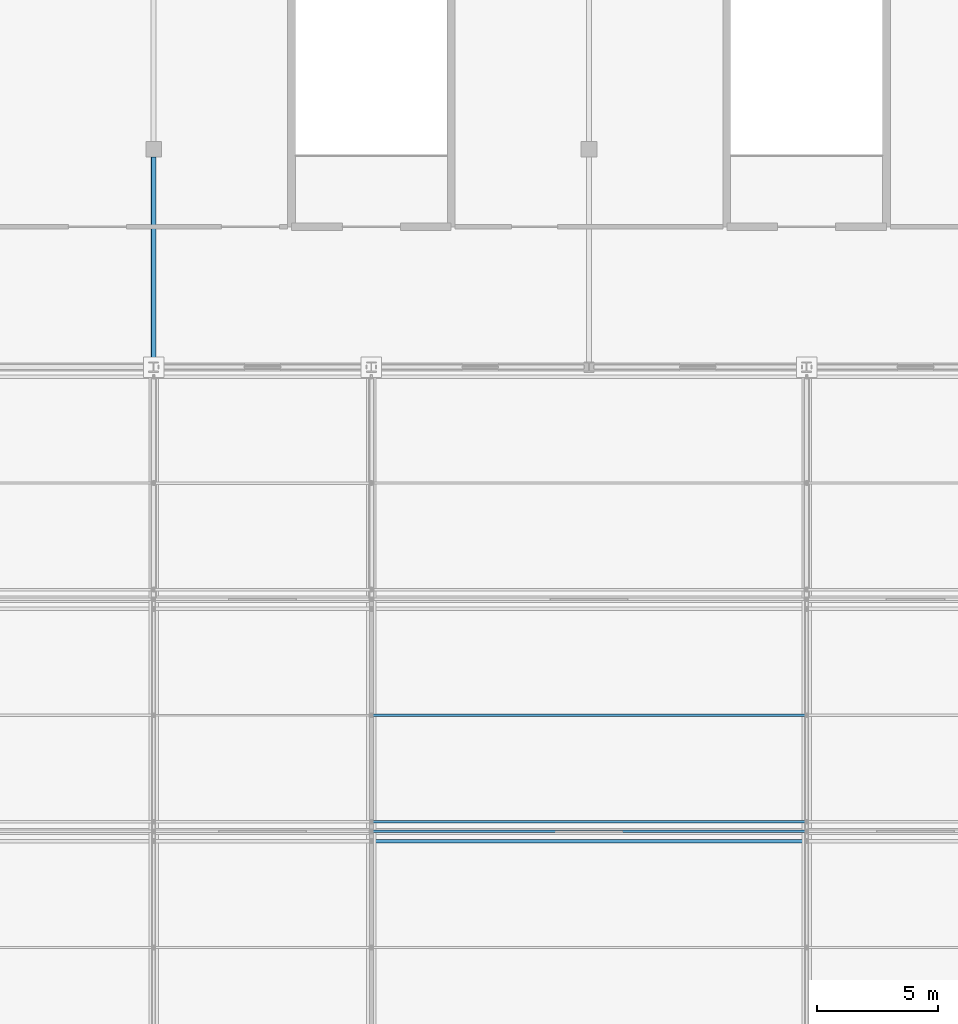
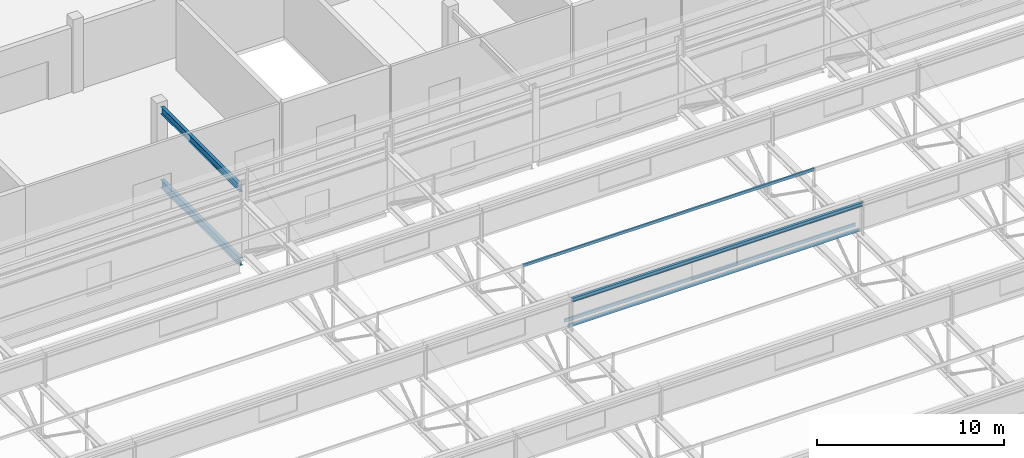
# One storey, part 51 of 136: 4 members, 2 beams.
"""IFC4 building model written with IfcOpenShell, lengths in metres."""

import ifcopenshell
import ifcopenshell.guid

model = None  # the IFC model being written
_history = None  # IfcOwnerHistory: only IFC2X3 demands one
_inside = {}  # id of a spatial element -> (the spatial element, [elements in it])
_under = {}  # id of a project, library or spatial element -> (it, [spatial elements below it])
_declared = {}  # id of a project -> (the project, [libraries it declares])
_typed = {}  # id of a type object -> (the type object, [elements of that type])
_made_of = {}  # id of a material, layer set ... -> (it, [elements and type objects made of it])


def new_model(schema):
    """Start an empty IFC model of exactly this schema.

    Asked for "IFC4X3", IfcOpenShell would pick the latest addendum, in which some entities
    have other attributes; the version numbers below select the first issue.
    IFC2X3 requires an IfcOwnerHistory on every rooted entity: one is made here for all.
    """
    global model, _history
    if schema == "IFC4X3":
        model = ifcopenshell.file(schema_version=(4, 3, 0, 0))
    else:
        model = ifcopenshell.file(schema=schema)
    _inside.clear()
    _under.clear()
    _declared.clear()
    _typed.clear()
    _made_of.clear()
    _history = None
    if model.schema == "IFC2X3":
        org = make("IfcOrganization", Name="unknown")
        user = make(
            "IfcPersonAndOrganization",
            ThePerson=make("IfcPerson", FamilyName="unknown"),
            TheOrganization=org,
        )
        app = make(
            "IfcApplication",
            ApplicationDeveloper=org,
            Version="unknown",
            ApplicationFullName="unknown",
            ApplicationIdentifier="unknown",
        )
        _history = make(
            "IfcOwnerHistory",
            OwningUser=user,
            OwningApplication=app,
            ChangeAction="ADDED",
            CreationDate=0,
        )
    return model


def make(cls, **values):
    """One entity of the class cls with the attributes given. An attribute that is None is left unset."""
    return model.create_entity(
        cls, **{name: value for name, value in values.items() if value is not None}
    )


def rooted(cls, **values):
    """An entity with a GlobalId (a new one), such as an element, a storey or a relation."""
    return make(cls, GlobalId=ifcopenshell.guid.new(), OwnerHistory=_history, **values)


def si_unit(unit_type, name, prefix=None):
    """IfcSIUnit, for example si_unit("LENGTHUNIT", "METRE", prefix="MILLI")."""
    return make("IfcSIUnit", UnitType=unit_type, Prefix=prefix, Name=name)


def assignment(units):
    """IfcUnitAssignment: the units of a project."""
    return None if units is None else make("IfcUnitAssignment", Units=units)


def point(xyz):
    """IfcCartesianPoint."""
    return None if xyz is None else make("IfcCartesianPoint", Coordinates=xyz)


def direction(xyz):
    """IfcDirection."""
    return None if xyz is None else make("IfcDirection", DirectionRatios=xyz)


def frame(location, z_axis=None, x_axis=None):
    """IfcAxis2Placement3D, a coordinate frame: its origin and axes. An axis left out is left unset."""
    return make(
        "IfcAxis2Placement3D",
        Location=point(location),
        Axis=direction(z_axis),
        RefDirection=direction(x_axis),
    )


def frame_2d(location, x_axis=None):
    """IfcAxis2Placement2D, a coordinate frame in the plane: its origin and x axis."""
    return make(
        "IfcAxis2Placement2D", Location=point(location), RefDirection=direction(x_axis)
    )


def origin():
    """The frame at (0, 0, 0) with its axes left unset."""
    return frame((0.0, 0.0, 0.0))


def origin_2d():
    """The frame at (0, 0) in the plane with its x axis left unset."""
    return frame_2d((0.0, 0.0))


def place(relative_to, where):
    """IfcLocalPlacement: puts the frame where relative to a parent placement (None: the world)."""
    return make(
        "IfcLocalPlacement", PlacementRelTo=relative_to, RelativePlacement=where
    )


def context(
    kind, dimensions, precision=None, world=None, true_north=None, identifier=None
):
    """IfcGeometricRepresentationContext, for example the 3D "Model" context."""
    return make(
        "IfcGeometricRepresentationContext",
        ContextIdentifier=identifier,
        ContextType=kind,
        CoordinateSpaceDimension=dimensions,
        Precision=precision,
        WorldCoordinateSystem=world,
        TrueNorth=true_north,
    )


def subcontext(parent, identifier, kind, view, scale=None):
    """IfcGeometricRepresentationSubContext, for example "Body" below "Model"."""
    return make(
        "IfcGeometricRepresentationSubContext",
        ContextIdentifier=identifier,
        ContextType=kind,
        ParentContext=parent,
        TargetScale=scale,
        TargetView=view,
    )


def project(units=None, contexts=None):
    """IfcProject with its units and contexts."""
    return rooted(
        "IfcProject",
        Name="project",
        RepresentationContexts=contexts,
        UnitsInContext=assignment(units),
    )


def spatial(cls, under=None, at=None, **own):
    """A site, building, storey or space (cls), placed at a placement, below another one or the project."""
    s = rooted(cls, ObjectPlacement=at, **own)
    if under is not None:
        _under.setdefault(under.id(), (under, []))[1].append(s)
    return s


def profile(cls, at=None, kind="AREA", **sizes):
    """A parametric profile (cls). Its sizes go by their IFC names, for example OverallWidth=200.0."""
    return make(cls, ProfileType=kind, Position=at, **sizes)


def hollow_rectangle(**sizes):
    """IfcRectangleHollowProfileDef."""
    return profile("IfcRectangleHollowProfileDef", **sizes)


def i_section(**sizes):
    """IfcIShapeProfileDef."""
    return profile("IfcIShapeProfileDef", **sizes)


def extrude(swept, where, along, depth):
    """IfcExtrudedAreaSolid: the profile swept, set in the frame where, extruded along a direction by depth."""
    return make(
        "IfcExtrudedAreaSolid",
        SweptArea=swept,
        Position=where,
        ExtrudedDirection=direction(along),
        Depth=depth,
    )


def shape(context_of_items, identifier, shape_type, items):
    """IfcShapeRepresentation: the items that make up one representation, for example the "Body"."""
    return make(
        "IfcShapeRepresentation",
        ContextOfItems=context_of_items,
        RepresentationIdentifier=identifier,
        RepresentationType=shape_type,
        Items=items,
    )


def material(Name=None, Category=None):
    """IfcMaterial."""
    return make("IfcMaterial", Name=Name, Category=Category)


def material_profile(
    of_material, cross_section, Name=None, Category=None, Priority=None
):
    """IfcMaterialProfile: a cross section and its material."""
    return make(
        "IfcMaterialProfile",
        Name=Name,
        Material=of_material,
        Profile=cross_section,
        Priority=Priority,
        Category=Category,
    )


def profile_set(profiles, Name=None, composite=None):
    """IfcMaterialProfileSet."""
    return make(
        "IfcMaterialProfileSet",
        Name=Name,
        MaterialProfiles=profiles,
        CompositeProfile=composite,
    )


def made_of(thing, what):
    """Note that an element or type object is made of a material, layer set ...; save() writes the relation."""
    if what is not None:
        _made_of.setdefault(what.id(), (what, []))[1].append(thing)
    return thing


def type_object(cls, material=None, **own):
    """A type object (cls), such as IfcWallType, which elements share."""
    return made_of(rooted(cls, **own), material)


def element(
    cls,
    number,
    at=None,
    inside=None,
    cuts=None,
    type_object=None,
    material=None,
    context=None,
    identifier="Body",
    shape_type=None,
    held_by="IfcProductDefinitionShape",
    body=None,
    shapes=None,
    **own,
):
    """One element of the class cls, such as IfcWall. Its Tag is "e" and its number.

    at: its placement. inside: the storey or other place that contains it. cuts: it is an
    opening in that element (IfcRelVoidsElement). A single representation is given by context,
    identifier, shape_type and body (its items); several are given by shapes. held_by: the class
    of the entity that holds the representations. save() writes the other relations.
    """
    e = rooted(cls, Tag="e%d" % number, ObjectPlacement=at, **own)
    if body is not None:
        shapes = [shape(context, identifier, shape_type, body)]
    if shapes is not None:
        e.Representation = make(held_by, Representations=shapes)
    if inside is not None:
        _inside.setdefault(inside.id(), (inside, []))[1].append(e)
    if cuts is not None:
        rooted(
            "IfcRelVoidsElement", RelatingBuildingElement=cuts, RelatedOpeningElement=e
        )
    if type_object is not None:
        _typed.setdefault(type_object.id(), (type_object, []))[1].append(e)
    return made_of(e, material)


def aggregate(whole, parts):
    """IfcRelAggregates: a whole, such as a stair, and the parts it consists of."""
    return rooted("IfcRelAggregates", RelatingObject=whole, RelatedObjects=parts)


def save(model, path):
    """Write the relations noted so far, then the file.

    IfcRelAggregates (storeys below a building ...), IfcRelContainedInSpatialStructure (elements
    in a storey), IfcRelDefinesByType, IfcRelAssociatesMaterial and IfcRelDeclares: one each for
    every whole, place, type object, material and project.
    """
    for whole, parts in _under.values():
        aggregate(whole, parts)
    for where, things in _inside.values():
        rooted(
            "IfcRelContainedInSpatialStructure",
            RelatedElements=things,
            RelatingStructure=where,
        )
    for kind, things in _typed.values():
        rooted("IfcRelDefinesByType", RelatedObjects=things, RelatingType=kind)
    for what, things in _made_of.values():
        rooted("IfcRelAssociatesMaterial", RelatedObjects=things, RelatingMaterial=what)
    for by, libraries in _declared.values():
        rooted("IfcRelDeclares", RelatingContext=by, RelatedDefinitions=libraries)
    model.write(path)


model = new_model("IFC4")

# Units and contexts
model_context = context("Model", 3, precision=1e-05, world=origin(), true_north=direction((0.0, 1.0)))
body_context = subcontext(model_context, "Body", "Model", "MODEL_VIEW")
ifc_project = project(units=[si_unit("LENGTHUNIT", "METRE"), si_unit("AREAUNIT", "SQUARE_METRE"), si_unit("VOLUMEUNIT", "CUBIC_METRE"), si_unit("PLANEANGLEUNIT", "RADIAN"), si_unit("MASSUNIT", "GRAM", prefix="KILO")], contexts=[model_context])

# Site, building, storey
site_placement = place(None, origin())
site = spatial("IfcSite", under=ifc_project, at=site_placement, CompositionType="ELEMENT")
building_placement = place(site_placement, origin())
building = spatial("IfcBuilding", under=site, at=building_placement, Name="Kisiwana Market Hall", CompositionType="ELEMENT")
storey_placement = place(building_placement, frame((0.0, 0.0, 16.800048828125)))
storey = spatial("IfcBuildingStorey", under=building, at=storey_placement, Name="L03", CompositionType="ELEMENT", Elevation=16.800048828125)

# Beams
ifc_material_1 = material(Name="Steel S355", Category="steel")
ifc_material_profile_1 = material_profile(ifc_material_1, i_section(OverallWidth=0.19140625, OverallDepth=0.4599609375, WebThickness=0.010009765625, FlangeThickness=0.01611328125, at=origin_2d()), Name="UB 457x191x82")
ifc_profile_set_1 = profile_set([ifc_material_profile_1], Name="Steel S355")
beam_type_1 = type_object("IfcBeamType", Name="BM-GIRD-UB457H", PredefinedType="BEAM", material=ifc_profile_set_1)
beam_1_placement = place(storey_placement, frame((81.0, 84.21337890625, 4.27783203125), z_axis=(0.0, 1.0, 0.0), x_axis=(-1.0, 0.0, 0.0)))
element("IfcBeam", 1, at=beam_1_placement, inside=storey, type_object=beam_type_1, Name="Roof girder B-1159", PredefinedType="BEAM", context=body_context, shape_type="SweptSolid", body=[
    extrude(i_section(OverallWidth=0.19140625, OverallDepth=0.4599609375, WebThickness=0.010009765625, FlangeThickness=0.01611328125, at=origin_2d()), origin(), (0.0, 0.0, 1.0), 8.465576171875),
])
ifc_material_2 = material(Name="Steel S355", Category="steel")
ifc_material_profile_2 = material_profile(ifc_material_2, i_section(OverallWidth=0.209228515625, OverallDepth=0.533203125, WebThickness=0.010009765625, FlangeThickness=0.015625, at=origin_2d()), Name="UB 533x210x92")
ifc_profile_set_2 = profile_set([ifc_material_profile_2], Name="Steel S355")
beam_type_2 = type_object("IfcBeamType", Name="BM-GIRD-UB533", PredefinedType="BEAM", material=ifc_profile_set_2)
beam_2_placement = place(storey_placement, frame((81.0, 84.21337890625, -0.5166015625), z_axis=(0.0, 1.0, 0.0), x_axis=(-1.0, 0.0, 0.0)))
element("IfcBeam", 2, at=beam_2_placement, inside=storey, type_object=beam_type_2, Name="Primary girder B-0892", PredefinedType="BEAM", context=body_context, shape_type="SweptSolid", body=[
    extrude(i_section(OverallWidth=0.209228515625, OverallDepth=0.533203125, WebThickness=0.010009765625, FlangeThickness=0.015625, at=origin_2d()), origin(), (0.0, 0.0, 1.0), 8.465576171875),
])

# Members
ifc_material_3 = material(Name="Steel S355", Category="steel")
ifc_material_profile_3 = material_profile(ifc_material_3, hollow_rectangle(XDim=0.10009765625, YDim=0.179931640625, WallThickness=0.008056640625, at=origin_2d()), Name="RHS 180x100x8")
ifc_profile_set_3 = profile_set([ifc_material_profile_3], Name="Steel S355")
member_type_1 = type_object("IfcMemberType", Name="MB-PURL-RHS180", PredefinedType="PURLIN", material=ifc_profile_set_3)
member_1_placement = place(storey_placement, frame((90.0, 69.60009765625, 4.9462890625), z_axis=(1.0, 0.0, 0.0), x_axis=(0.0, 1.0, 0.0)))
element("IfcMember", 3, at=member_1_placement, inside=storey, type_object=member_type_1, Name="Sawtooth mid-slope roof purlin 55 M-0115", PredefinedType="PURLIN", context=body_context, shape_type="SweptSolid", body=[
    extrude(hollow_rectangle(XDim=0.10009765625, YDim=0.179931640625, WallThickness=0.008056640625, at=origin_2d()), origin(), (0.0, 0.0, 1.0), 18.0),
])
ifc_material_4 = material(Name="Steel S355", Category="steel")
ifc_material_profile_4 = material_profile(ifc_material_4, hollow_rectangle(XDim=0.10009765625, YDim=0.199951171875, WallThickness=0.008056640625, at=origin_2d()), Name="RHS 200x100x8.0")
ifc_profile_set_4 = profile_set([ifc_material_profile_4], Name="Steel S355")
member_type_2 = type_object("IfcMemberType", Name="MB-ROOF-PURLIN1", PredefinedType="PURLIN", material=ifc_profile_set_4)
for number, where, z_axis, x_axis, name in (
    (4, (90.0, 64.800048828125, 3.90087890625), (1.0, 0.0, 0.0), (0.0, 1.0, 0.0), "Sawtooth roof purlin 278 M-0179"),
    (5, (90.0, 65.199951171875, 4.0009765625), (1.0, 0.0, 0.0), (0.0, 1.0, 0.0), "Sawtooth roof purlin 321 M-0198"),
):
    element("IfcMember", number, at=place(storey_placement, frame(where, z_axis=z_axis, x_axis=x_axis)), inside=storey, type_object=member_type_2, Name=name, PredefinedType="PURLIN", context=body_context, shape_type="SweptSolid", body=[
        extrude(hollow_rectangle(XDim=0.10009765625, YDim=0.199951171875, WallThickness=0.008056640625, at=origin_2d()), origin(), (0.0, 0.0, 1.0), 18.0),
    ])
ifc_material_5 = material(Name="Steel S355", Category="steel")
ifc_material_profile_5 = material_profile(ifc_material_5, i_section(OverallWidth=0.146484375, OverallDepth=0.256103515625, WebThickness=0.00634765625, FlangeThickness=0.010986328125, at=origin_2d()), Name="UB 254x146x37")
ifc_profile_set_5 = profile_set([ifc_material_profile_5], Name="Steel S355")
member_type_3 = type_object("IfcMemberType", Name="MB-ROOF-PURLIN2", PredefinedType="PURLIN", material=ifc_profile_set_5)
member_2_placement = place(storey_placement, frame((90.0, 64.39990234375, 5.843505859375), z_axis=(1.0, 0.0, 0.0), x_axis=(0.0, 1.0, 0.0)))
element("IfcMember", 6, at=member_2_placement, inside=storey, type_object=member_type_3, Name="Sawtooth roof purlin 277 M-0178", PredefinedType="PURLIN", context=body_context, shape_type="SweptSolid", body=[
    extrude(i_section(OverallWidth=0.146484375, OverallDepth=0.256103515625, WebThickness=0.00634765625, FlangeThickness=0.010986328125, at=origin_2d()), origin(), (0.0, 0.0, 1.0), 18.0),
])

save(model, "model.ifc")
